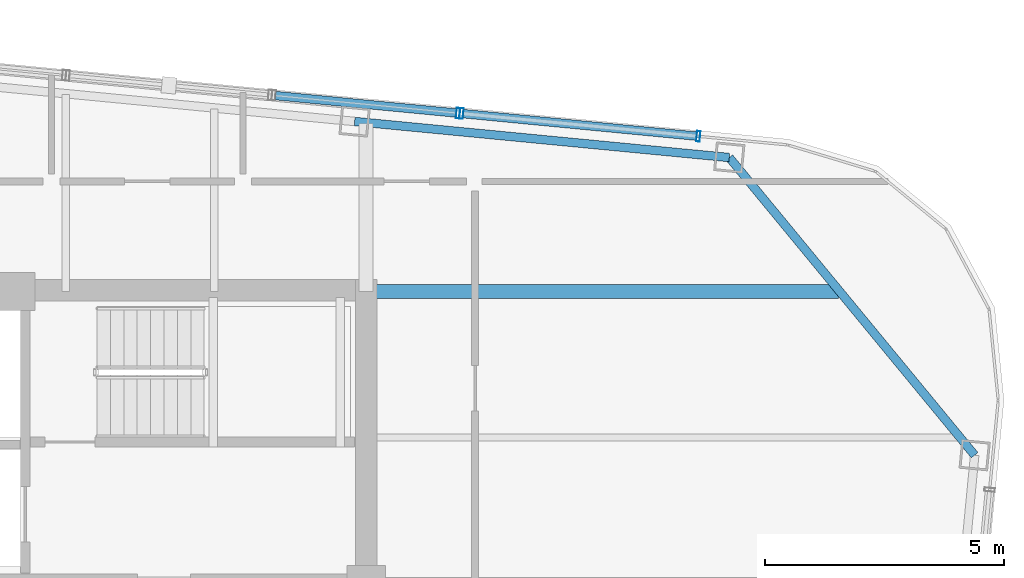
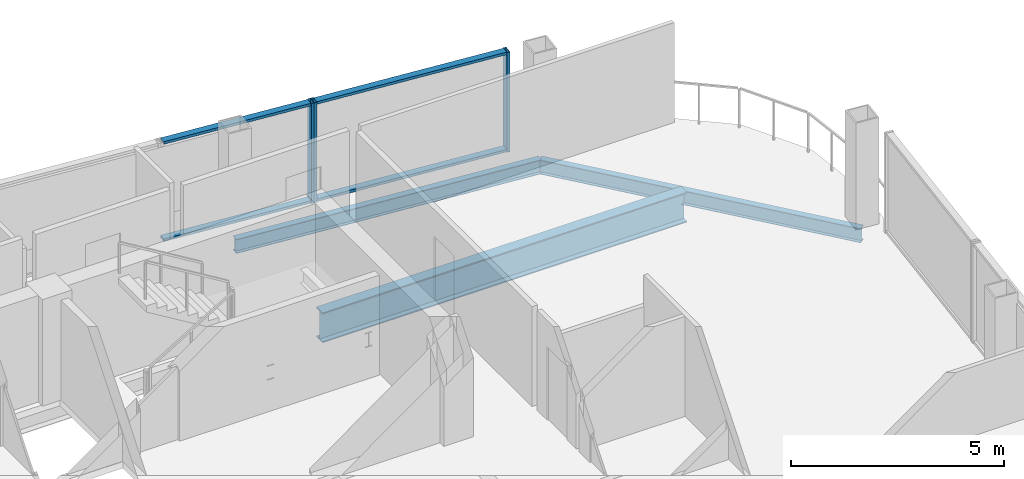
# One storey, part 15 of 22: 7 members, 3 beams, 2 elements without a shape of their own.
"""IFC4 building model written with IfcOpenShell, lengths in metres."""

from ifc_helpers import new_model, si_unit, direction, frame, origin, origin_2d, place, context, subcontext, project, spatial, hollow_rectangle, i_section, extrude, material, layer, layer_set, material_profile, profile_set, type_object, element, aggregate, save


model = new_model("IFC4")

# Units and contexts
model_context = context("Model", 3, precision=1e-05, world=origin(), true_north=direction((0.0, 1.0)))
body_context = subcontext(model_context, "Body", "Model", "MODEL_VIEW")
ifc_project = project(units=[si_unit("LENGTHUNIT", "METRE"), si_unit("AREAUNIT", "SQUARE_METRE"), si_unit("VOLUMEUNIT", "CUBIC_METRE"), si_unit("PLANEANGLEUNIT", "RADIAN"), si_unit("MASSUNIT", "GRAM", prefix="KILO")], contexts=[model_context])

# Site, building, storey
site_placement = place(None, origin())
site = spatial("IfcSite", under=ifc_project, at=site_placement, CompositionType="ELEMENT")
building_placement = place(site_placement, origin())
building = spatial("IfcBuilding", under=site, at=building_placement, Name="Qhalaya Broadcast Tower", CompositionType="ELEMENT")
storey_placement = place(building_placement, frame((0.0, 0.0, 252.0)))
storey = spatial("IfcBuildingStorey", under=building, at=storey_placement, Name="L74", CompositionType="ELEMENT", Elevation=252.0)

# Curtain wall, members
ifc_material_1 = material(Name="Fired Architectural Terracotta", Category="masonry")
ifc_layer_1 = layer(ifc_material_1, 0.219970703125, Name="Fired Architectural Terracotta")
ifc_layer_set_1 = layer_set([ifc_layer_1], Name="Fired Architectural Terracotta")
curtain_wall_type_1 = type_object("IfcCurtainWallType", Name="Block-Cap Unitised Terracotta Spandrel Wall CW-07", PredefinedType="NOTDEFINED", material=ifc_layer_set_1)
curtain_wall_1_placement = place(storey_placement, origin())
curtain_wall_1 = element("IfcCurtainWall", 1, at=curtain_wall_1_placement, inside=storey, type_object=curtain_wall_type_1, Name="L74 Unitised Curtain Wall L74-CW-N1", PredefinedType="NOTDEFINED")
ifc_material_2 = material(Name="Anodised Aluminium 6063-T6", Category="aluminium")
ifc_material_profile_1 = material_profile(ifc_material_2, hollow_rectangle(XDim=0.074951171875, YDim=0.219970703125, WallThickness=0.00390625, at=origin_2d()), Name="ALU-MUL 75x220x4")
ifc_profile_set_1 = profile_set([ifc_material_profile_1], Name="Anodised Aluminium 6063-T6")
member_type_1 = type_object("IfcMemberType", Name="Unitised Curtain-Wall Mullion M01", PredefinedType="MULLION", material=ifc_profile_set_1)
member_1_placement = place(storey_placement, frame((16.315185546875, 13.192626953125, 0.0), z_axis=(0.0, 0.0, 1.0), x_axis=(-0.995395145786, 0.09585668336, 0.0)))
member_1 = element("IfcMember", 2, at=member_1_placement, type_object=member_type_1, Name="CW-07 mullion 1", PredefinedType="MULLION", context=body_context, shape_type="SweptSolid", body=[
    extrude(hollow_rectangle(XDim=0.074951171875, YDim=0.219970703125, WallThickness=0.00390625, at=origin_2d()), origin(), (0.0, 0.0, 1.0), 2.860107421875),
])
member_2_placement = place(storey_placement, frame((11.367919921875, 13.6689453125, 0.0), z_axis=(0.0, 0.0, 1.0), x_axis=(-0.995395145786, 0.09585668336, 0.0)))
member_2 = element("IfcMember", 3, at=member_2_placement, type_object=member_type_1, Name="CW-07 mullion 2", PredefinedType="MULLION", context=body_context, shape_type="SweptSolid", body=[
    extrude(hollow_rectangle(XDim=0.074951171875, YDim=0.219970703125, WallThickness=0.00390625, at=origin_2d()), origin(), (0.0, 0.0, 1.0), 2.860107421875),
])

# Curtain wall, member
ifc_material_3 = material(Name="Solar-Control Low-E Triple Glazing", Category="glass")
ifc_layer_2 = layer(ifc_material_3, 0.219970703125, Name="Solar-Control Low-E Triple Glazing")
ifc_layer_set_2 = layer_set([ifc_layer_2], Name="Solar-Control Low-E Triple Glazing")
curtain_wall_type_2 = type_object("IfcCurtainWallType", Name="High-Altitude Upper-Shaft Triple Low-E Curtain Wall CW-04", PredefinedType="NOTDEFINED", material=ifc_layer_set_2)
curtain_wall_2_placement = place(storey_placement, origin())
curtain_wall_2 = element("IfcCurtainWall", 4, at=curtain_wall_2_placement, inside=storey, type_object=curtain_wall_type_2, Name="L74 Unitised Curtain Wall L74-CW-N2", PredefinedType="NOTDEFINED")
member_3_placement = place(storey_placement, frame((11.293212890625, 13.67626953125, 0.0), z_axis=(0.0, 0.0, 1.0), x_axis=(-0.995396567507, 0.09584191878, 0.0)))
member_3 = element("IfcMember", 5, at=member_3_placement, type_object=member_type_1, Name="CW-04 mullion 1", PredefinedType="MULLION", context=body_context, shape_type="SweptSolid", body=[
    extrude(hollow_rectangle(XDim=0.074951171875, YDim=0.219970703125, WallThickness=0.00390625, at=origin_2d()), origin(), (0.0, 0.0, 1.0), 2.860107421875),
])

# Member
ifc_material_profile_2 = material_profile(ifc_material_2, hollow_rectangle(XDim=0.074951171875, YDim=0.179931640625, WallThickness=0.00390625, at=origin_2d()), Name="ALU-TRN 75x180x4")
ifc_profile_set_2 = profile_set([ifc_material_profile_2], Name="Anodised Aluminium 6063-T6")
member_type_2 = type_object("IfcMemberType", Name="Unitised Curtain-Wall Transom T01", PredefinedType="USERDEFINED", material=ifc_profile_set_2)
member_4_placement = place(storey_placement, frame((16.27783203125, 13.1962890625, 0.03759765625), z_axis=(-0.995394946025, 0.095858757704, 0.0), x_axis=(0.0, 0.0, 1.0)))
member_4 = element("IfcMember", 6, at=member_4_placement, type_object=member_type_2, Name="CW-07 transom 1.1", ObjectType="TRANSOM", PredefinedType="USERDEFINED", context=body_context, shape_type="SweptSolid", body=[
    extrude(hollow_rectangle(XDim=0.074951171875, YDim=0.179931640625, WallThickness=0.00390625, at=origin_2d()), origin(), (0.0, 0.0, 1.0), 4.89501953125),
])

member_5_placement = place(storey_placement, frame((16.27783203125, 13.1962890625, 2.822509765625), z_axis=(-0.995394946025, 0.095858757704, 0.0), x_axis=(0.0, 0.0, 1.0)))
member_5 = element("IfcMember", 7, at=member_5_placement, type_object=member_type_2, Name="CW-07 transom 1.2", ObjectType="TRANSOM", PredefinedType="USERDEFINED", context=body_context, shape_type="SweptSolid", body=[
    extrude(hollow_rectangle(XDim=0.074951171875, YDim=0.179931640625, WallThickness=0.00390625, at=origin_2d()), origin(), (0.0, 0.0, 1.0), 4.89501953125),
])

aggregate(curtain_wall_1, [member_1, member_2, member_4, member_5])

member_6_placement = place(storey_placement, frame((11.255859375, 13.6796875, 0.03759765625), z_axis=(-0.995396283367, 0.095844869758, 0.0), x_axis=(0.0, 0.0, 1.0)))
member_6 = element("IfcMember", 8, at=member_6_placement, type_object=member_type_2, Name="CW-04 transom 1.1", ObjectType="TRANSOM", PredefinedType="USERDEFINED", context=body_context, shape_type="SweptSolid", body=[
    extrude(hollow_rectangle(XDim=0.074951171875, YDim=0.179931640625, WallThickness=0.00390625, at=origin_2d()), origin(), (0.0, 0.0, 1.0), 3.79296875),
])

member_7_placement = place(storey_placement, frame((11.255859375, 13.6796875, 2.822509765625), z_axis=(-0.995396283367, 0.095844869758, 0.0), x_axis=(0.0, 0.0, 1.0)))
member_7 = element("IfcMember", 9, at=member_7_placement, type_object=member_type_2, Name="CW-04 transom 1.2", ObjectType="TRANSOM", PredefinedType="USERDEFINED", context=body_context, shape_type="SweptSolid", body=[
    extrude(hollow_rectangle(XDim=0.074951171875, YDim=0.179931640625, WallThickness=0.00390625, at=origin_2d()), origin(), (0.0, 0.0, 1.0), 3.79296875),
])

aggregate(curtain_wall_2, [member_3, member_6, member_7])

# Beams
ifc_material_4 = material(Name="Structural Steel ASTM A992 Grade 50", Category="steel")
ifc_material_profile_3 = material_profile(ifc_material_4, i_section(OverallWidth=0.2919921875, OverallDepth=0.85888671875, WebThickness=0.01708984375, FlangeThickness=0.031005859375, at=origin_2d()), Name="W33X169")
ifc_profile_set_3 = profile_set([ifc_material_profile_3], Name="Structural Steel ASTM A992 Grade 50")
beam_type_1 = type_object("IfcBeamType", Name="Upper Block Primary Girder PG4", PredefinedType="USERDEFINED", material=ifc_profile_set_3)
beam_1_placement = place(storey_placement, frame((9.375, 9.949951171875, -0.619384765625), z_axis=(1.0, 0.0, 0.0), x_axis=(0.0, 1.0, 0.0)))
element("IfcBeam", 10, at=beam_1_placement, inside=storey, type_object=beam_type_1, Name="L74 PG4 L74-PGYE4-1", ObjectType="GIRDER", PredefinedType="USERDEFINED", context=body_context, shape_type="SweptSolid", body=[
    extrude(i_section(OverallWidth=0.2919921875, OverallDepth=0.85888671875, WebThickness=0.01708984375, FlangeThickness=0.031005859375, at=origin_2d()), origin(), (0.0, 0.0, 1.0), 9.868896484375),
])
ifc_material_profile_4 = material_profile(ifc_material_4, i_section(OverallWidth=0.177978515625, OverallDepth=0.406005859375, WebThickness=0.0078125, FlangeThickness=0.0126953125, at=origin_2d()), Name="W16X40")
ifc_profile_set_4 = profile_set([ifc_material_profile_4], Name="Structural Steel ASTM A992 Grade 50")
beam_type_2 = type_object("IfcBeamType", Name="Upper Perimeter Spandrel Beam SP2", PredefinedType="SPANDREL", material=ifc_profile_set_4)
beam_2_placement = place(storey_placement, frame((22.09033203125, 6.5283203125, -0.39306640625), z_axis=(-0.636070241972, 0.771631160126, 0.0), x_axis=(-0.771631160126, -0.636070241972, 0.0)))
element("IfcBeam", 11, at=beam_2_placement, inside=storey, type_object=beam_type_2, Name="L74 SP2 L74-SPR-08", PredefinedType="SPANDREL", context=body_context, shape_type="SweptSolid", body=[
    extrude(i_section(OverallWidth=0.177978515625, OverallDepth=0.406005859375, WebThickness=0.0078125, FlangeThickness=0.0126953125, at=origin_2d()), origin(), (0.0, 0.0, 1.0), 8.06103515625),
])
beam_3_placement = place(storey_placement, frame((16.962890625, 12.74853515625, -0.39306640625), z_axis=(-0.995397023367, 0.095837184179, 0.0), x_axis=(-0.095837184179, -0.995397023367, 0.0)))
element("IfcBeam", 12, at=beam_3_placement, inside=storey, type_object=beam_type_2, Name="L74 SP2 L74-SPR-09", PredefinedType="SPANDREL", context=body_context, shape_type="SweptSolid", body=[
    extrude(i_section(OverallWidth=0.177978515625, OverallDepth=0.406005859375, WebThickness=0.0078125, FlangeThickness=0.0126953125, at=origin_2d()), origin(), (0.0, 0.0, 1.0), 7.866455078125),
])

save(model, "model.ifc")
